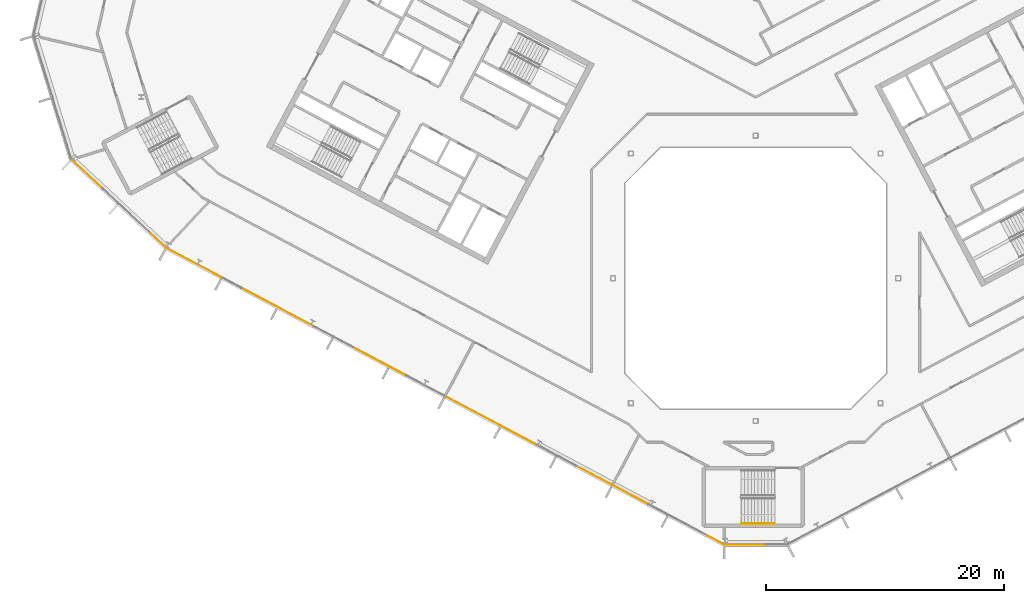
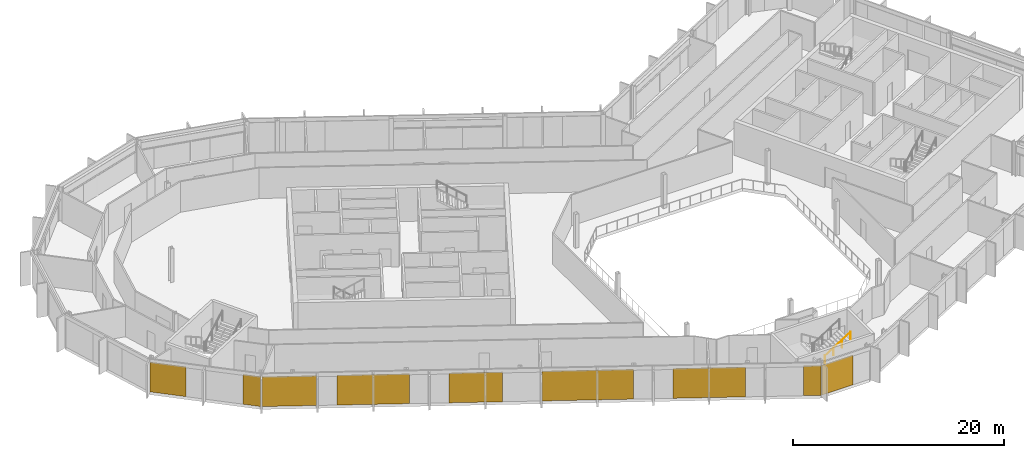
# One storey, part 19 of 26: 9 coverings, 1 railing, 3 elements without a shape of their own.
"""IFC4 building model written with IfcOpenShell, lengths in metres."""

import ifcopenshell
import ifcopenshell.guid

model = None  # the IFC model being written
_history = None  # IfcOwnerHistory: only IFC2X3 demands one
_inside = {}  # id of a spatial element -> (the spatial element, [elements in it])
_under = {}  # id of a project, library or spatial element -> (it, [spatial elements below it])
_declared = {}  # id of a project -> (the project, [libraries it declares])
_typed = {}  # id of a type object -> (the type object, [elements of that type])
_made_of = {}  # id of a material, layer set ... -> (it, [elements and type objects made of it])


def new_model(schema):
    """Start an empty IFC model of exactly this schema.

    Asked for "IFC4X3", IfcOpenShell would pick the latest addendum, in which some entities
    have other attributes; the version numbers below select the first issue.
    IFC2X3 requires an IfcOwnerHistory on every rooted entity: one is made here for all.
    """
    global model, _history
    if schema == "IFC4X3":
        model = ifcopenshell.file(schema_version=(4, 3, 0, 0))
    else:
        model = ifcopenshell.file(schema=schema)
    _inside.clear()
    _under.clear()
    _declared.clear()
    _typed.clear()
    _made_of.clear()
    _history = None
    if model.schema == "IFC2X3":
        org = make("IfcOrganization", Name="unknown")
        user = make(
            "IfcPersonAndOrganization",
            ThePerson=make("IfcPerson", FamilyName="unknown"),
            TheOrganization=org,
        )
        app = make(
            "IfcApplication",
            ApplicationDeveloper=org,
            Version="unknown",
            ApplicationFullName="unknown",
            ApplicationIdentifier="unknown",
        )
        _history = make(
            "IfcOwnerHistory",
            OwningUser=user,
            OwningApplication=app,
            ChangeAction="ADDED",
            CreationDate=0,
        )
    return model


def make(cls, **values):
    """One entity of the class cls with the attributes given. An attribute that is None is left unset."""
    return model.create_entity(
        cls, **{name: value for name, value in values.items() if value is not None}
    )


def rooted(cls, **values):
    """An entity with a GlobalId (a new one), such as an element, a storey or a relation."""
    return make(cls, GlobalId=ifcopenshell.guid.new(), OwnerHistory=_history, **values)


def si_unit(unit_type, name, prefix=None):
    """IfcSIUnit, for example si_unit("LENGTHUNIT", "METRE", prefix="MILLI")."""
    return make("IfcSIUnit", UnitType=unit_type, Prefix=prefix, Name=name)


def assignment(units):
    """IfcUnitAssignment: the units of a project."""
    return None if units is None else make("IfcUnitAssignment", Units=units)


def point(xyz):
    """IfcCartesianPoint."""
    return None if xyz is None else make("IfcCartesianPoint", Coordinates=xyz)


def direction(xyz):
    """IfcDirection."""
    return None if xyz is None else make("IfcDirection", DirectionRatios=xyz)


def frame(location, z_axis=None, x_axis=None):
    """IfcAxis2Placement3D, a coordinate frame: its origin and axes. An axis left out is left unset."""
    return make(
        "IfcAxis2Placement3D",
        Location=point(location),
        Axis=direction(z_axis),
        RefDirection=direction(x_axis),
    )


def frame_2d(location, x_axis=None):
    """IfcAxis2Placement2D, a coordinate frame in the plane: its origin and x axis."""
    return make(
        "IfcAxis2Placement2D", Location=point(location), RefDirection=direction(x_axis)
    )


def origin():
    """The frame at (0, 0, 0) with its axes left unset."""
    return frame((0.0, 0.0, 0.0))


def origin_2d():
    """The frame at (0, 0) in the plane with its x axis left unset."""
    return frame_2d((0.0, 0.0))


def place(relative_to, where):
    """IfcLocalPlacement: puts the frame where relative to a parent placement (None: the world)."""
    return make(
        "IfcLocalPlacement", PlacementRelTo=relative_to, RelativePlacement=where
    )


def context(
    kind, dimensions, precision=None, world=None, true_north=None, identifier=None
):
    """IfcGeometricRepresentationContext, for example the 3D "Model" context."""
    return make(
        "IfcGeometricRepresentationContext",
        ContextIdentifier=identifier,
        ContextType=kind,
        CoordinateSpaceDimension=dimensions,
        Precision=precision,
        WorldCoordinateSystem=world,
        TrueNorth=true_north,
    )


def subcontext(parent, identifier, kind, view, scale=None):
    """IfcGeometricRepresentationSubContext, for example "Body" below "Model"."""
    return make(
        "IfcGeometricRepresentationSubContext",
        ContextIdentifier=identifier,
        ContextType=kind,
        ParentContext=parent,
        TargetScale=scale,
        TargetView=view,
    )


def project(units=None, contexts=None):
    """IfcProject with its units and contexts."""
    return rooted(
        "IfcProject",
        Name="project",
        RepresentationContexts=contexts,
        UnitsInContext=assignment(units),
    )


def spatial(cls, under=None, at=None, **own):
    """A site, building, storey or space (cls), placed at a placement, below another one or the project."""
    s = rooted(cls, ObjectPlacement=at, **own)
    if under is not None:
        _under.setdefault(under.id(), (under, []))[1].append(s)
    return s


def polyline(points):
    """IfcPolyline through the points."""
    return make("IfcPolyline", Points=[point(p) for p in points])


def profile(cls, at=None, kind="AREA", **sizes):
    """A parametric profile (cls). Its sizes go by their IFC names, for example OverallWidth=200.0."""
    return make(cls, ProfileType=kind, Position=at, **sizes)


def rectangle(**sizes):
    """IfcRectangleProfileDef."""
    return profile("IfcRectangleProfileDef", **sizes)


def outline(outer, holes=None, kind="AREA"):
    """IfcArbitraryClosedProfileDef: a profile drawn as a closed curve; with holes, ...WithVoids."""
    if holes is None:
        return make("IfcArbitraryClosedProfileDef", ProfileType=kind, OuterCurve=outer)
    return make(
        "IfcArbitraryProfileDefWithVoids",
        ProfileType=kind,
        OuterCurve=outer,
        InnerCurves=holes,
    )


def extrude(swept, where, along, depth):
    """IfcExtrudedAreaSolid: the profile swept, set in the frame where, extruded along a direction by depth."""
    return make(
        "IfcExtrudedAreaSolid",
        SweptArea=swept,
        Position=where,
        ExtrudedDirection=direction(along),
        Depth=depth,
    )


def shape(context_of_items, identifier, shape_type, items):
    """IfcShapeRepresentation: the items that make up one representation, for example the "Body"."""
    return make(
        "IfcShapeRepresentation",
        ContextOfItems=context_of_items,
        RepresentationIdentifier=identifier,
        RepresentationType=shape_type,
        Items=items,
    )


def material(Name=None, Category=None):
    """IfcMaterial."""
    return make("IfcMaterial", Name=Name, Category=Category)


def layer(
    of_material, thickness, ventilated=None, Name=None, Category=None, Priority=None
):
    """IfcMaterialLayer: one layer of a wall or slab, of a material (None: an air gap)."""
    return make(
        "IfcMaterialLayer",
        Material=of_material,
        LayerThickness=thickness,
        IsVentilated=ventilated,
        Name=Name,
        Category=Category,
        Priority=Priority,
    )


def layer_set(layers, Name=None):
    """IfcMaterialLayerSet."""
    return make("IfcMaterialLayerSet", MaterialLayers=layers, LayerSetName=Name)


def made_of(thing, what):
    """Note that an element or type object is made of a material, layer set ...; save() writes the relation."""
    if what is not None:
        _made_of.setdefault(what.id(), (what, []))[1].append(thing)
    return thing


def type_object(cls, material=None, **own):
    """A type object (cls), such as IfcWallType, which elements share."""
    return made_of(rooted(cls, **own), material)


def element(
    cls,
    number,
    at=None,
    inside=None,
    cuts=None,
    type_object=None,
    material=None,
    context=None,
    identifier="Body",
    shape_type=None,
    held_by="IfcProductDefinitionShape",
    body=None,
    shapes=None,
    **own,
):
    """One element of the class cls, such as IfcWall. Its Tag is "e" and its number.

    at: its placement. inside: the storey or other place that contains it. cuts: it is an
    opening in that element (IfcRelVoidsElement). A single representation is given by context,
    identifier, shape_type and body (its items); several are given by shapes. held_by: the class
    of the entity that holds the representations. save() writes the other relations.
    """
    e = rooted(cls, Tag="e%d" % number, ObjectPlacement=at, **own)
    if body is not None:
        shapes = [shape(context, identifier, shape_type, body)]
    if shapes is not None:
        e.Representation = make(held_by, Representations=shapes)
    if inside is not None:
        _inside.setdefault(inside.id(), (inside, []))[1].append(e)
    if cuts is not None:
        rooted(
            "IfcRelVoidsElement", RelatingBuildingElement=cuts, RelatedOpeningElement=e
        )
    if type_object is not None:
        _typed.setdefault(type_object.id(), (type_object, []))[1].append(e)
    return made_of(e, material)


def aggregate(whole, parts):
    """IfcRelAggregates: a whole, such as a stair, and the parts it consists of."""
    return rooted("IfcRelAggregates", RelatingObject=whole, RelatedObjects=parts)


def save(model, path):
    """Write the relations noted so far, then the file.

    IfcRelAggregates (storeys below a building ...), IfcRelContainedInSpatialStructure (elements
    in a storey), IfcRelDefinesByType, IfcRelAssociatesMaterial and IfcRelDeclares: one each for
    every whole, place, type object, material and project.
    """
    for whole, parts in _under.values():
        aggregate(whole, parts)
    for where, things in _inside.values():
        rooted(
            "IfcRelContainedInSpatialStructure",
            RelatedElements=things,
            RelatingStructure=where,
        )
    for kind, things in _typed.values():
        rooted("IfcRelDefinesByType", RelatedObjects=things, RelatingType=kind)
    for what, things in _made_of.values():
        rooted("IfcRelAssociatesMaterial", RelatedObjects=things, RelatingMaterial=what)
    for by, libraries in _declared.values():
        rooted("IfcRelDeclares", RelatingContext=by, RelatedDefinitions=libraries)
    model.write(path)


model = new_model("IFC4")

# Units and contexts
model_context = context("Model", 3, precision=1e-05, world=origin(), true_north=direction((0.0, 1.0)))
body_context = subcontext(model_context, "Body", "Model", "MODEL_VIEW")
ifc_project = project(units=[si_unit("LENGTHUNIT", "METRE"), si_unit("AREAUNIT", "SQUARE_METRE"), si_unit("VOLUMEUNIT", "CUBIC_METRE"), si_unit("PLANEANGLEUNIT", "RADIAN"), si_unit("MASSUNIT", "GRAM", prefix="KILO")], contexts=[model_context])

# Site, building, storey
site_placement = place(None, origin())
site = spatial("IfcSite", under=ifc_project, at=site_placement, CompositionType="ELEMENT")
building_placement = place(site_placement, origin())
building = spatial("IfcBuilding", under=site, at=building_placement, Name="Cormorant Relay Tower", CompositionType="ELEMENT")
storey_placement = place(building_placement, frame((0.0, 0.0, 308.699951171875)))
storey = spatial("IfcBuildingStorey", under=building, at=storey_placement, Name="L70", CompositionType="ELEMENT", Elevation=308.699951171875)

# Curtain wall, covering
ifc_material_1 = material(Name="Aluminium 6063-T6 anodised bronze", Category="aluminium")
ifc_layer_1 = layer(ifc_material_1, 0.199951171875)
ifc_layer_set_1 = layer_set([ifc_layer_1], Name="CW1 unitised bronze curtain wall with vertical fins")
curtain_wall_type = type_object("IfcCurtainWallType", Name="CW1 unitised bronze curtain wall with vertical fins", PredefinedType="NOTDEFINED", material=ifc_layer_set_1)
curtain_wall_1_placement = place(storey_placement, origin())
curtain_wall_1 = element("IfcCurtainWall", 1, at=curtain_wall_1_placement, inside=storey, type_object=curtain_wall_type, Name="CW1 curtain wall 1", PredefinedType="NOTDEFINED")
ifc_material_2 = material(Name="Pale bronze anodised aluminium insulated panel", Category="aluminium")
ifc_layer_2 = layer(ifc_material_2, 0.0400390625)
ifc_layer_set_2 = layer_set([ifc_layer_2], Name="CW1 pale bronze insulated panel 40")
covering_type = type_object("IfcCoveringType", Name="CW1 pale bronze insulated panel 40", PredefinedType="CLADDING", material=ifc_layer_set_2)
covering_1_placement = place(storey_placement, frame((-0.862548828125, -22.3955078125, 0.0), z_axis=(0.0, 0.0, 1.0), x_axis=(1.0, 0.0, 0.0)))
covering_1 = element("IfcCovering", 2, at=covering_1_placement, type_object=covering_type, Name="CW1 panel S00", PredefinedType="CLADDING", context=body_context, shape_type="SweptSolid", body=[
    extrude(rectangle(XDim=3.422607421875, YDim=0.0400390625, at=origin_2d()), origin(), (0.0, 0.0, 1.0), 3.449951171875),
])
aggregate(curtain_wall_1, [covering_1])

# Curtain wall, coverings
curtain_wall_2_placement = place(storey_placement, origin())
curtain_wall_2 = element("IfcCurtainWall", 3, at=curtain_wall_2_placement, inside=storey, type_object=curtain_wall_type, Name="CW1 curtain wall 15", PredefinedType="NOTDEFINED")
covering_2_placement = place(storey_placement, frame((-56.22607421875, 8.74365234375, 0.0), z_axis=(0.0, 0.0, 1.0), x_axis=(0.731353701619, -0.681998360062, 0.0)))
covering_2 = element("IfcCovering", 4, at=covering_2_placement, type_object=covering_type, Name="CW1 panel S00", PredefinedType="CLADDING", context=body_context, shape_type="SweptSolid", body=[
    extrude(rectangle(XDim=3.485107421875, YDim=0.0400390625, at=origin_2d()), origin(), (0.0, 0.0, 1.0), 3.449951171875),
])
covering_3_placement = place(storey_placement, frame((-50.248779296875, 3.169921875, 0.0), z_axis=(0.0, 0.0, 1.0), x_axis=(0.731353701619, -0.681998360062, 0.0)))
covering_3 = element("IfcCovering", 5, at=covering_3_placement, type_object=covering_type, Name="CW1 panel S03", PredefinedType="CLADDING", context=body_context, shape_type="SweptSolid", body=[
    extrude(rectangle(XDim=1.76025390625, YDim=0.0400390625, at=origin_2d()), origin(), (0.0, 0.0, 1.0), 3.449951171875),
])
aggregate(curtain_wall_2, [covering_2, covering_3])

curtain_wall_3_placement = place(storey_placement, origin())
curtain_wall_3 = element("IfcCurtainWall", 6, at=curtain_wall_3_placement, inside=storey, type_object=curtain_wall_type, Name="CW1 curtain wall 16", PredefinedType="NOTDEFINED")
covering_4_placement = place(storey_placement, frame((-47.25390625, 1.318603515625, 0.0), z_axis=(0.0, 0.0, 1.0), x_axis=(0.882947592859, -0.469471562786, 0.0)))
covering_4 = element("IfcCovering", 7, at=covering_4_placement, type_object=covering_type, Name="CW1 panel S00", PredefinedType="CLADDING", context=body_context, shape_type="SweptSolid", body=[
    extrude(rectangle(XDim=5.16650390625, YDim=0.0400390625, at=origin_2d()), origin(), (0.0, 0.0, 1.0), 3.449951171875),
])
covering_5_placement = place(storey_placement, frame((-40.21240234375, -2.42529296875, 0.0), z_axis=(0.0, 0.0, 1.0), x_axis=(0.882947592859, -0.469471562786, 0.0)))
covering_5 = element("IfcCovering", 8, at=covering_5_placement, type_object=covering_type, Name="CW1 panel S02", PredefinedType="CLADDING", context=body_context, shape_type="SweptSolid", body=[
    extrude(rectangle(XDim=6.88330078125, YDim=0.0400390625, at=origin_2d()), origin(), (0.0, 0.0, 1.0), 3.449951171875),
])
covering_6_placement = place(storey_placement, frame((-31.618408203125, -6.994873046875, 0.0), z_axis=(0.0, 0.0, 1.0), x_axis=(0.882947592859, -0.469471562786, 0.0)))
covering_6 = element("IfcCovering", 9, at=covering_6_placement, type_object=covering_type, Name="CW1 panel S05", PredefinedType="CLADDING", context=body_context, shape_type="SweptSolid", body=[
    extrude(rectangle(XDim=5.083251953125, YDim=0.0400390625, at=origin_2d()), origin(), (0.0, 0.0, 1.0), 3.449951171875),
])
covering_7_placement = place(storey_placement, frame((-22.22998046875, -11.98681640625, 0.0), z_axis=(0.0, 0.0, 1.0), x_axis=(0.882947592859, -0.469471562786, 0.0)))
covering_7 = element("IfcCovering", 10, at=covering_7_placement, type_object=covering_type, Name="CW1 panel S07", PredefinedType="CLADDING", context=body_context, shape_type="SweptSolid", body=[
    extrude(rectangle(XDim=8.68310546875, YDim=0.0400390625, at=origin_2d()), origin(), (0.0, 0.0, 1.0), 3.449951171875),
])
covering_8_placement = place(storey_placement, frame((-12.046875, -17.401123046875, 0.0), z_axis=(0.0, 0.0, 1.0), x_axis=(0.882947592859, -0.469471562786, 0.0)))
covering_8 = element("IfcCovering", 11, at=covering_8_placement, type_object=covering_type, Name="CW1 panel S10", PredefinedType="CLADDING", context=body_context, shape_type="SweptSolid", body=[
    extrude(rectangle(XDim=6.88330078125, YDim=0.0400390625, at=origin_2d()), origin(), (0.0, 0.0, 1.0), 3.449951171875),
])
covering_9_placement = place(storey_placement, frame((-3.383056640625, -22.0078125, 0.0), z_axis=(0.0, 0.0, 1.0), x_axis=(0.882947592859, -0.469471562786, 0.0)))
covering_9 = element("IfcCovering", 12, at=covering_9_placement, type_object=covering_type, Name="CW1 panel S13", PredefinedType="CLADDING", context=body_context, shape_type="SweptSolid", body=[
    extrude(rectangle(XDim=1.6416015625, YDim=0.0400390625, at=origin_2d()), origin(), (0.0, 0.0, 1.0), 3.449951171875),
])
aggregate(curtain_wall_3, [covering_4, covering_5, covering_6, covering_7, covering_8, covering_9])

# Railing
ifc_material_3 = material(Name="Steel ASTM A572 Grade 50 (Fy 345 MPa)", Category="steel")
railing_type = type_object("IfcRailingType", Name="Stair handrail 900", PredefinedType="HANDRAIL", material=ifc_material_3)
railing_placement = place(storey_placement, frame((-1.199951171875, -20.625, 2.12744140625)))
element("IfcRailing", 13, at=railing_placement, inside=storey, type_object=railing_type, Name="L70 RK1 stair handrail 2", PredefinedType="HANDRAIL", context=body_context, shape_type="SweptSolid", body=[
    extrude(outline(polyline([(0.022216796875, 0.00927734375), (0.00927734375, 0.022216796875), (-0.00927734375, 0.022216796875), (-0.022216796875, 0.00927734375), (-0.022216796875, -0.00927734375), (-0.00927734375, -0.022216796875), (0.00927734375, -0.022216796875), (0.022216796875, -0.00927734375), (0.022216796875, 0.00927734375)])), frame((0.0, 0.0, 0.8759765625), z_axis=(0.844908973607, 0.0, 0.534910110503), x_axis=(0.0, 1.0, 0.0)), (0.0, 0.0, 1.0), 3.31396484375),
    extrude(outline(polyline([(0.019287109375, 0.008056640625), (0.008056640625, 0.019287109375), (-0.008056640625, 0.019287109375), (-0.019287109375, 0.008056640625), (-0.019287109375, -0.008056640625), (-0.008056640625, -0.019287109375), (0.008056640625, -0.019287109375), (0.019287109375, -0.008056640625), (0.019287109375, 0.008056640625)])), origin(), (0.0, 0.0, 1.0), 0.851806640625),
    extrude(outline(polyline([(0.019287109375, 0.008056640625), (0.008056640625, 0.019287109375), (-0.008056640625, 0.019287109375), (-0.019287109375, 0.008056640625), (-0.019287109375, -0.008056640625), (-0.008056640625, -0.019287109375), (0.008056640625, -0.019287109375), (0.019287109375, -0.008056640625), (0.019287109375, 0.008056640625)])), frame((0.933349609375, 0.0, 0.5908203125)), (0.0, 0.0, 1.0), 0.851806640625),
    extrude(outline(polyline([(0.019287109375, 0.008056640625), (0.008056640625, 0.019287109375), (-0.008056640625, 0.019287109375), (-0.019287109375, 0.008056640625), (-0.019287109375, -0.008056640625), (-0.008056640625, -0.019287109375), (0.008056640625, -0.019287109375), (0.019287109375, -0.008056640625), (0.019287109375, 0.008056640625)])), frame((1.86669921875, 0.0, 1.181884765625)), (0.0, 0.0, 1.0), 0.851806640625),
    extrude(outline(polyline([(0.019287109375, 0.008056640625), (0.008056640625, 0.019287109375), (-0.008056640625, 0.019287109375), (-0.019287109375, 0.008056640625), (-0.019287109375, -0.008056640625), (-0.008056640625, -0.019287109375), (0.008056640625, -0.019287109375), (0.019287109375, -0.008056640625), (0.019287109375, 0.008056640625)])), frame((2.800048828125, 0.0, 1.772705078125)), (0.0, 0.0, 1.0), 0.851806640625),
])

save(model, "model.ifc")
